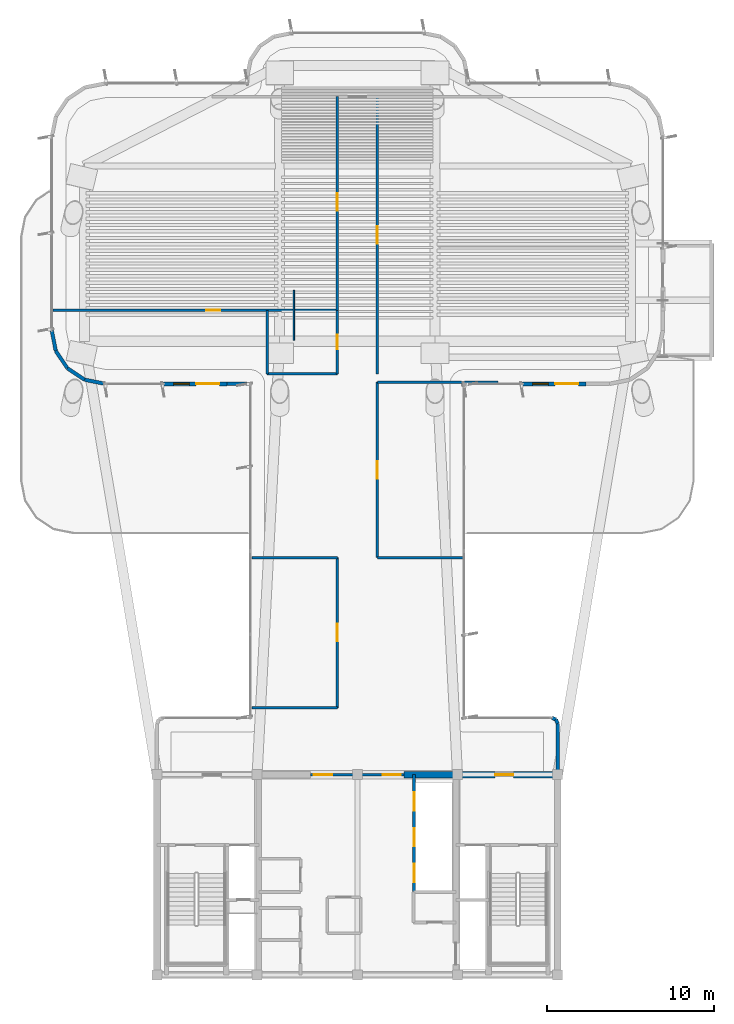
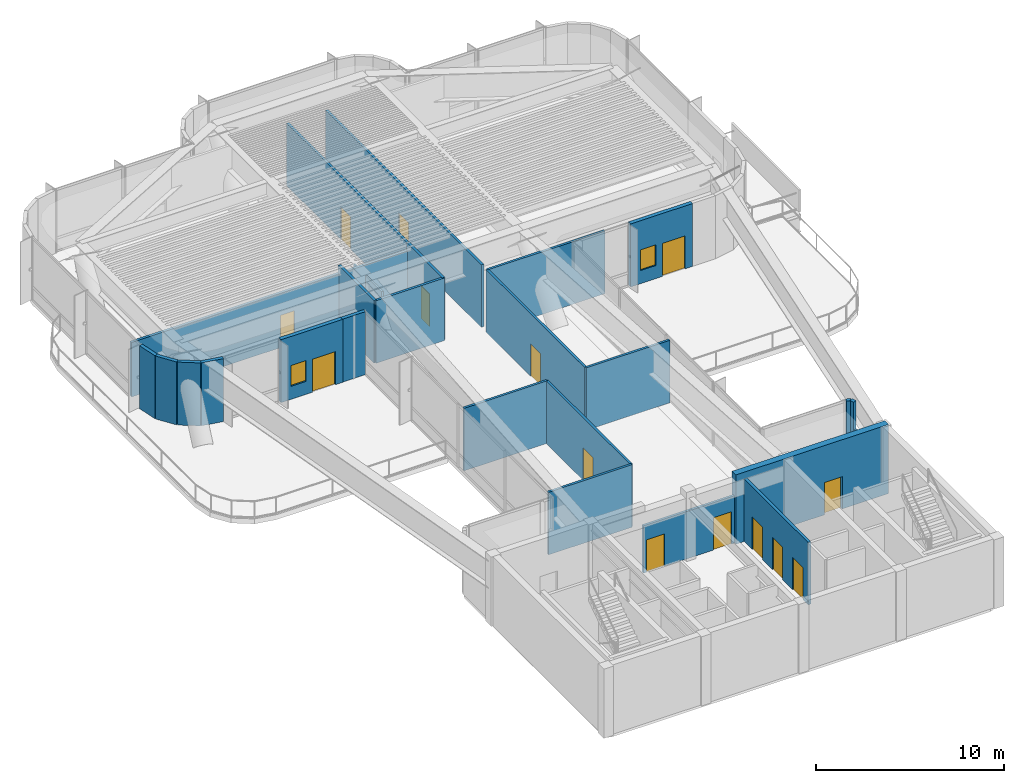
# One storey, part 12 of 16: 26 walls, 14 doors, 2 windows, 16 openings.
"""IFC4 building model written with IfcOpenShell, lengths in metres."""

from ifc_helpers import new_model, si_unit, direction, frame, frame_2d, origin, origin_2d, place, context, subcontext, project, spatial, rectangle, extrude, source, transform, mapped, material, layer, layer_set, type_object, element, fill, save


model = new_model("IFC4")

# Units and contexts
model_context = context("Model", 3, precision=1e-05, world=origin(), true_north=direction((0.0, 1.0)))
body_context = subcontext(model_context, "Body", "Model", "MODEL_VIEW")
ifc_project = project(units=[si_unit("LENGTHUNIT", "METRE"), si_unit("AREAUNIT", "SQUARE_METRE"), si_unit("VOLUMEUNIT", "CUBIC_METRE"), si_unit("PLANEANGLEUNIT", "RADIAN"), si_unit("MASSUNIT", "GRAM", prefix="KILO")], contexts=[model_context])

# Site, building, storey
site_placement = place(None, origin())
site = spatial("IfcSite", under=ifc_project, at=site_placement, CompositionType="ELEMENT")
building_placement = place(site_placement, origin())
building = spatial("IfcBuilding", under=site, at=building_placement, Name="Brelvock Crest Care Tower", CompositionType="ELEMENT")
storey_placement = place(building_placement, frame((0.0, 0.0, 218.52001953125)))
storey = spatial("IfcBuildingStorey", under=building, at=storey_placement, Name="L55", CompositionType="ELEMENT", Elevation=218.52001953125)

# Wall, opening, door
ifc_material_1 = material(Name="Concrete S65 (65 MPa)", Category="concrete")
ifc_layer_1 = layer(ifc_material_1, 0.39990234375, Name="WL-CS4")
ifc_layer_set_1 = layer_set([ifc_layer_1], Name="Concrete S65 (65 MPa)")
wall_type_1 = type_object("IfcWallType", Name="WL-CS4", PredefinedType="SHEAR", material=ifc_layer_set_1)
wall_1_placement = place(storey_placement, frame((38.800048828125, 18.0, 0.0), z_axis=(0.0, 0.0, 1.0), x_axis=(1.0, 0.0, 0.0)))
wall_1 = element("IfcWall", 1, at=wall_1_placement, inside=storey, type_object=wall_type_1, Name="L55 Core North-East Shear Wall", PredefinedType="SHEAR", context=body_context, shape_type="SweptSolid", body=[
    extrude(rectangle(XDim=9.39990234375, YDim=0.39990234375, at=frame_2d((4.699951171875, 0.0))), origin(), (0.0, 0.0, 1.0), 4.5),
])
opening_1_placement = place(wall_1_placement, frame((5.449951171875, 0.0, 0.0)))
opening_1 = element("IfcOpeningElement", 2, at=opening_1_placement, cuts=wall_1, Name="Opening FD-1", PredefinedType="OPENING", context=body_context, shape_type="SweptSolid", body=[
    extrude(rectangle(XDim=1.10009765625, YDim=2.10009765625, at=origin_2d()), frame((0.550048828125, 0.2099609375, 1.050048828125), z_axis=(0.0, -1.0, 0.0), x_axis=(1.0, 0.0, 0.0)), (0.0, 0.0, 1.0), 0.419921875),
])
ifc_material_2 = material(Name="Steel Grade 350", Category="steel")
door_type_1 = type_object("IfcDoorType", Name="DR-FFL1", OperationType="NOTDEFINED", PredefinedType="DOOR", material=ifc_material_2)
shared_shape_1 = source(origin(), body_context, "Body", "SweptSolid", [
    extrude(rectangle(XDim=1.10009765625, YDim=2.10009765625, at=origin_2d()), frame((0.550048828125, 0.02490234375, 1.050048828125), z_axis=(0.0, -1.0, 0.0), x_axis=(1.0, 0.0, 0.0)), (0.0, 0.0, 1.0), 0.050048828125),
])
door_1_placement = place(opening_1_placement, origin())
door_1 = element("IfcDoor", 3, at=door_1_placement, inside=storey, type_object=door_type_1, Name="L55 Firefighting Lobby FFL-2 Exit Door", OperationType="SINGLE_SWING_RIGHT", OverallHeight=2.10009765625, OverallWidth=1.10009765625, PredefinedType="DOOR", context=body_context, shape_type="MappedRepresentation", body=[
    mapped(shared_shape_1, transform((0.0, 0.0, 0.0), x_axis=(1.0, 0.0, 0.0), y_axis=(0.0, 1.0, 0.0), z_axis=(0.0, 0.0, 1.0), scale=1.0)),
])
fill(opening_1, door_1)

# Wall, openings, door, window
ifc_material_3 = material(Name="Precast concrete N40 (40 MPa)", Category="concrete")
ifc_layer_2 = layer(ifc_material_3, 0.239990234375, Name="WL-EX1")
ifc_layer_set_2 = layer_set([ifc_layer_2], Name="Precast concrete N40 (40 MPa)")
wall_type_2 = type_object("IfcWallType", Name="WL-EX1", PredefinedType="SOLIDWALL", material=ifc_layer_set_2)
wall_2_placement = place(storey_placement, frame((28.194091796875, 41.39990234375, 0.0), z_axis=(0.0, 0.0, 1.0), x_axis=(-1.0, 0.0, 0.0)))
wall_2 = element("IfcWall", 4, at=wall_2_placement, inside=storey, type_object=wall_type_2, Name="L55 Exterior Spandrel Wall WL-TER-L55-12", PredefinedType="SOLIDWALL", context=body_context, shape_type="SweptSolid", body=[
    extrude(rectangle(XDim=3.800048828125, YDim=0.239990234375, at=frame_2d((1.89990234375, 0.0))), origin(), (0.0, 0.0, 1.0), 4.092041015625),
])
opening_2_placement = place(wall_2_placement, frame((0.449951171875, 0.0, 0.0)))
opening_2 = element("IfcOpeningElement", 5, at=opening_2_placement, cuts=wall_2, Name="Opening TD-1", PredefinedType="OPENING", context=body_context, shape_type="SweptSolid", body=[
    extrude(rectangle(XDim=1.39990234375, YDim=2.14990234375, at=origin_2d()), frame((0.699951171875, 0.1298828125, 1.074951171875), z_axis=(0.0, -1.0, 0.0), x_axis=(1.0, 0.0, 0.0)), (0.0, 0.0, 1.0), 0.260009765625),
])
opening_3_placement = place(wall_2_placement, frame((2.25, 0.0, 0.85009765625)))
opening_3 = element("IfcOpeningElement", 6, at=opening_3_placement, cuts=wall_2, Name="Opening W-03", PredefinedType="OPENING", context=body_context, shape_type="SweptSolid", body=[
    extrude(rectangle(XDim=0.949951171875, YDim=1.35009765625, at=origin_2d()), frame((0.47509765625, 0.1298828125, 0.675048828125), z_axis=(0.0, -1.0, 0.0), x_axis=(1.0, 0.0, 0.0)), (0.0, 0.0, 1.0), 0.260009765625),
])
ifc_material_4 = material(Name="Dark Glass Double Glazed Low-E", Category="glass")
door_type_2 = type_object("IfcDoorType", Name="DR-TER1", OperationType="NOTDEFINED", PredefinedType="DOOR", material=ifc_material_4)
shared_shape_2 = source(origin(), body_context, "Body", "SweptSolid", [
    extrude(rectangle(XDim=1.39990234375, YDim=2.14990234375, at=origin_2d()), frame((0.699951171875, 0.02490234375, 1.074951171875), z_axis=(0.0, -1.0, 0.0), x_axis=(1.0, 0.0, 0.0)), (0.0, 0.0, 1.0), 0.050048828125),
])
door_2_placement = place(opening_2_placement, origin())
door_2 = element("IfcDoor", 7, at=door_2_placement, inside=storey, type_object=door_type_2, Name="L55 Setback Terrace Glazed Door", OperationType="SINGLE_SWING_LEFT", OverallHeight=2.14990234375, OverallWidth=1.39990234375, PredefinedType="DOOR", context=body_context, shape_type="MappedRepresentation", body=[
    mapped(shared_shape_2, transform((0.0, 0.0, 0.0), x_axis=(1.0, 0.0, 0.0), y_axis=(0.0, 1.0, 0.0), z_axis=(0.0, 0.0, 1.0), scale=1.0)),
])
fill(opening_2, door_2)
window_type = type_object("IfcWindowType", Name="WN-EX3", PartitioningType="SINGLE_PANEL", PredefinedType="WINDOW", material=ifc_material_4)
shared_shape_3 = source(origin(), body_context, "Body", "SweptSolid", [
    extrude(rectangle(XDim=0.949951171875, YDim=1.35009765625, at=origin_2d()), frame((0.47509765625, 0.030029296875, 0.675048828125), z_axis=(0.0, -1.0, 0.0), x_axis=(1.0, 0.0, 0.0)), (0.0, 0.0, 1.0), 0.06005859375),
])
window_1_placement = place(opening_3_placement, origin())
window_1 = element("IfcWindow", 8, at=window_1_placement, inside=storey, type_object=window_type, Name="L55 Terrace Side Window", OverallHeight=1.35009765625, OverallWidth=0.949951171875, PartitioningType="SINGLE_PANEL", PredefinedType="WINDOW", context=body_context, shape_type="MappedRepresentation", body=[
    mapped(shared_shape_3, transform((0.0, 0.0, 0.0), x_axis=(1.0, 0.0, 0.0), y_axis=(0.0, 1.0, 0.0), z_axis=(0.0, 0.0, 1.0), scale=1.0)),
])
fill(opening_3, window_1)

wall_3_placement = place(storey_placement, frame((49.694091796875, 41.39990234375, 0.0), z_axis=(0.0, 0.0, 1.0), x_axis=(-1.0, 0.0, 0.0)))
wall_3 = element("IfcWall", 9, at=wall_3_placement, inside=storey, type_object=wall_type_2, Name="L55 Exterior Spandrel Wall WL-TER-L55-44", PredefinedType="SOLIDWALL", context=body_context, shape_type="SweptSolid", body=[
    extrude(rectangle(XDim=3.800048828125, YDim=0.239990234375, at=frame_2d((1.89990234375, 0.0))), origin(), (0.0, 0.0, 1.0), 4.092041015625),
])
opening_4_placement = place(wall_3_placement, frame((0.449951171875, 0.0, 0.0)))
opening_4 = element("IfcOpeningElement", 10, at=opening_4_placement, cuts=wall_3, Name="Opening TD-1", PredefinedType="OPENING", context=body_context, shape_type="SweptSolid", body=[
    extrude(rectangle(XDim=1.39990234375, YDim=2.14990234375, at=origin_2d()), frame((0.699951171875, 0.1298828125, 1.074951171875), z_axis=(0.0, -1.0, 0.0), x_axis=(1.0, 0.0, 0.0)), (0.0, 0.0, 1.0), 0.260009765625),
])
opening_5_placement = place(wall_3_placement, frame((2.25, 0.0, 0.85009765625)))
opening_5 = element("IfcOpeningElement", 11, at=opening_5_placement, cuts=wall_3, Name="Opening W-03", PredefinedType="OPENING", context=body_context, shape_type="SweptSolid", body=[
    extrude(rectangle(XDim=0.949951171875, YDim=1.35009765625, at=origin_2d()), frame((0.47509765625, 0.1298828125, 0.675048828125), z_axis=(0.0, -1.0, 0.0), x_axis=(1.0, 0.0, 0.0)), (0.0, 0.0, 1.0), 0.260009765625),
])
door_3_placement = place(opening_4_placement, origin())
door_3 = element("IfcDoor", 12, at=door_3_placement, inside=storey, type_object=door_type_2, Name="L55 Setback Terrace Glazed Door", OperationType="SINGLE_SWING_LEFT", OverallHeight=2.14990234375, OverallWidth=1.39990234375, PredefinedType="DOOR", context=body_context, shape_type="MappedRepresentation", body=[
    mapped(shared_shape_2, transform((0.0, 0.0, 0.0), x_axis=(1.0, 0.0, 0.0), y_axis=(0.0, 1.0, 0.0), z_axis=(0.0, 0.0, 1.0), scale=1.0)),
])
fill(opening_4, door_3)
window_2_placement = place(opening_5_placement, origin())
window_2 = element("IfcWindow", 13, at=window_2_placement, inside=storey, type_object=window_type, Name="L55 Terrace Side Window", OverallHeight=1.35009765625, OverallWidth=0.949951171875, PartitioningType="SINGLE_PANEL", PredefinedType="WINDOW", context=body_context, shape_type="MappedRepresentation", body=[
    mapped(shared_shape_3, transform((0.0, 0.0, 0.0), x_axis=(1.0, 0.0, 0.0), y_axis=(0.0, 1.0, 0.0), z_axis=(0.0, 0.0, 1.0), scale=1.0)),
])
fill(opening_5, window_2)

# Walls
ifc_layer_3 = layer(ifc_material_3, 0.215087890625, Name="WL-EX2")
ifc_layer_set_3 = layer_set([ifc_layer_3], Name="Precast concrete N40 (40 MPa)")
wall_type_3 = type_object("IfcWallType", Name="WL-EX2", PredefinedType="SOLIDWALL", material=ifc_layer_set_3)
wall_4_placement = place(storey_placement, frame((47.8974609375, 21.297607421875, 0.0), z_axis=(0.0, 0.0, 1.0), x_axis=(0.382673670509, -0.923883575944, 0.0)))
element("IfcWall", 14, at=wall_4_placement, inside=storey, type_object=wall_type_3, Name="L55 Rounded Corner Wall 00", PredefinedType="SOLIDWALL", context=body_context, shape_type="SweptSolid", body=[
    extrude(rectangle(XDim=0.26806640625, YDim=0.215087890625, at=frame_2d((0.134033203125, 0.0))), origin(), (0.0, 0.0, 1.0), 4.092041015625),
])
wall_5_placement = place(storey_placement, frame((48.0, 21.050048828125, 0.0), z_axis=(0.0, 0.0, 1.0), x_axis=(0.0, -1.0, 0.0)))
element("IfcWall", 15, at=wall_5_placement, inside=storey, type_object=wall_type_3, Name="L55 Rounded Corner Wall 01", PredefinedType="SOLIDWALL", context=body_context, shape_type="SweptSolid", body=[
    extrude(rectangle(XDim=2.77001953125, YDim=0.215087890625, at=frame_2d((1.385009765625, 0.0))), origin(), (0.0, 0.0, 1.0), 2.280029296875),
])
wall_6_placement = place(storey_placement, frame((29.60009765625, 41.39990234375, 0.0), z_axis=(0.0, 0.0, 1.0), x_axis=(-1.0, 0.0, 0.0)))
element("IfcWall", 16, at=wall_6_placement, inside=storey, type_object=wall_type_3, Name="L55 Exterior Spandrel Pier E12A", PredefinedType="SOLIDWALL", context=body_context, shape_type="SweptSolid", body=[
    extrude(rectangle(XDim=1.406005859375, YDim=0.215087890625, at=frame_2d((0.703125, 0.0))), origin(), (0.0, 0.0, 1.0), 4.092041015625),
])
for number, where, z_axis, x_axis, name in (
    (17, (20.89990234375, 41.39990234375, 0.0), (0.0, 0.0, 1.0), (-0.980775717779, 0.195138390419, 0.0), "L55 Rounded Corner Wall 13"),
    (18, (19.67529296875, 41.6435546875, 0.0), (0.0, 0.0, 1.0), (-0.831387912822, 0.555692485475, 0.0), "L55 Rounded Corner Wall 14"),
    (19, (18.63720703125, 42.33740234375, 0.0), (0.0, 0.0, 1.0), (-0.555557312883, 0.831478245117, 0.0), "L55 Rounded Corner Wall 15"),
    (20, (17.943603515625, 43.37548828125, 0.0), (0.0, 0.0, 1.0), (-0.195138390419, 0.980775717779, 0.0), "L55 Rounded Corner Wall 16"),
):
    element("IfcWall", number, at=place(storey_placement, frame(where, z_axis=z_axis, x_axis=x_axis)), inside=storey, type_object=wall_type_3, Name=name, PredefinedType="SOLIDWALL", context=body_context, shape_type="SweptSolid", body=[
        extrude(rectangle(XDim=1.24853515625, YDim=0.215087890625, at=frame_2d((0.624267578125, 0.0))), origin(), (0.0, 0.0, 1.0), 4.092041015625),
    ])
wall_7_placement = place(storey_placement, frame((47.64990234375, 21.39990234375, 0.0), z_axis=(0.0, 0.0, 1.0), x_axis=(0.924205486139, -0.381895560841, 0.0)))
element("IfcWall", 21, at=wall_7_placement, inside=storey, type_object=wall_type_3, Name="L55 Rounded Corner Wall 47", PredefinedType="SOLIDWALL", context=body_context, shape_type="SweptSolid", body=[
    extrude(rectangle(XDim=0.267822265625, YDim=0.215087890625, at=frame_2d((0.1337890625, 0.0))), origin(), (0.0, 0.0, 1.0), 4.092041015625),
])

# Wall, openings, doors
ifc_material_5 = material(Name="Masonry Blockwork Acoustic Partition", Category="masonry")
ifc_layer_4 = layer(ifc_material_5, 0.14990234375, Name="WL-INT1")
ifc_layer_set_4 = layer_set([ifc_layer_4], Name="Masonry Blockwork Acoustic Partition")
wall_type_4 = type_object("IfcWallType", Name="WL-INT1", PredefinedType="PARTITIONING", material=ifc_layer_set_4)
wall_8_placement = place(storey_placement, frame((33.199951171875, 18.0, 0.0), z_axis=(0.0, 0.0, 1.0), x_axis=(1.0, 0.0, 0.0)))
wall_8 = element("IfcWall", 22, at=wall_8_placement, inside=storey, type_object=wall_type_4, Name="L55 Interior Wall WL-CORE-NPORT-L55", PredefinedType="PARTITIONING", context=body_context, shape_type="SweptSolid", body=[
    extrude(rectangle(XDim=5.60009765625, YDim=0.14990234375, at=frame_2d((2.800048828125, 0.0))), origin(), (0.0, 0.0, 1.0), 3.076904296875),
])
opening_6_placement = place(wall_8_placement, frame((0.18994140625, 0.0, 0.0)))
opening_6 = element("IfcOpeningElement", 23, at=opening_6_placement, cuts=wall_8, Name="Opening FD-1", PredefinedType="OPENING", context=body_context, shape_type="SweptSolid", body=[
    extrude(rectangle(XDim=1.10009765625, YDim=2.10009765625, at=origin_2d()), frame((0.550048828125, 0.0849609375, 1.050048828125), z_axis=(0.0, -1.0, 0.0), x_axis=(1.0, 0.0, 0.0)), (0.0, 0.0, 1.0), 0.169921875),
])
opening_7_placement = place(wall_8_placement, frame((4.31005859375, 0.0, 0.0)))
opening_7 = element("IfcOpeningElement", 24, at=opening_7_placement, cuts=wall_8, Name="Opening FD-1", PredefinedType="OPENING", context=body_context, shape_type="SweptSolid", body=[
    extrude(rectangle(XDim=1.10009765625, YDim=2.10009765625, at=origin_2d()), frame((0.550048828125, 0.0849609375, 1.050048828125), z_axis=(0.0, -1.0, 0.0), x_axis=(1.0, 0.0, 0.0)), (0.0, 0.0, 1.0), 0.169921875),
])
door_4_placement = place(opening_6_placement, origin())
door_4 = element("IfcDoor", 25, at=door_4_placement, inside=storey, type_object=door_type_1, Name="L55 Lift Lobby North Smoke Door West", OperationType="SINGLE_SWING_LEFT", OverallHeight=2.10009765625, OverallWidth=1.10009765625, PredefinedType="DOOR", context=body_context, shape_type="MappedRepresentation", body=[
    mapped(shared_shape_1, transform((0.0, 0.0, 0.0), x_axis=(1.0, 0.0, 0.0), y_axis=(0.0, 1.0, 0.0), z_axis=(0.0, 0.0, 1.0), scale=1.0)),
])
fill(opening_6, door_4)
door_5_placement = place(opening_7_placement, origin())
door_5 = element("IfcDoor", 26, at=door_5_placement, inside=storey, type_object=door_type_1, Name="L55 Lift Lobby North Smoke Door East", OperationType="SINGLE_SWING_RIGHT", OverallHeight=2.10009765625, OverallWidth=1.10009765625, PredefinedType="DOOR", context=body_context, shape_type="MappedRepresentation", body=[
    mapped(shared_shape_1, transform((0.0, 0.0, 0.0), x_axis=(1.0, 0.0, 0.0), y_axis=(0.0, 1.0, 0.0), z_axis=(0.0, 0.0, 1.0), scale=1.0)),
])
fill(opening_7, door_5)

# Walls
wall_9_placement = place(storey_placement, frame((29.678466796875, 22.0, 0.0), z_axis=(0.0, 0.0, 1.0), x_axis=(1.0, 0.0, 0.0)))
element("IfcWall", 27, at=wall_9_placement, inside=storey, type_object=wall_type_4, Name="L55 Interior Wall WL-BX-L55-TPL-S", PredefinedType="PARTITIONING", context=body_context, shape_type="SweptSolid", body=[
    extrude(rectangle(XDim=5.12158203125, YDim=0.14990234375, at=frame_2d((2.560791015625, 0.0))), origin(), (0.0, 0.0, 1.0), 4.06201171875),
])
wall_10_placement = place(storey_placement, frame((29.678955078125, 31.0, 0.0), z_axis=(0.0, 0.0, 1.0), x_axis=(1.0, 0.0, 0.0)))
element("IfcWall", 28, at=wall_10_placement, inside=storey, type_object=wall_type_4, Name="L55 Interior Wall WL-BX-L55-TPL-N", PredefinedType="PARTITIONING", context=body_context, shape_type="SweptSolid", body=[
    extrude(rectangle(XDim=5.12109375, YDim=0.14990234375, at=frame_2d((2.560546875, 0.0))), origin(), (0.0, 0.0, 1.0), 4.06201171875),
])
wall_11_placement = place(storey_placement, frame((37.199951171875, 31.0, 0.0), z_axis=(0.0, 0.0, 1.0), x_axis=(1.0, 0.0, 0.0)))
element("IfcWall", 29, at=wall_11_placement, inside=storey, type_object=wall_type_4, Name="L55 Interior Wall WL-BX-L55-NUT-S", PredefinedType="PARTITIONING", context=body_context, shape_type="SweptSolid", body=[
    extrude(rectangle(XDim=5.12255859375, YDim=0.14990234375, at=frame_2d((2.561279296875, 0.0))), origin(), (0.0, 0.0, 1.0), 4.06201171875),
])
wall_12_placement = place(storey_placement, frame((37.199951171875, 41.5, 0.0), z_axis=(0.0, 0.0, 1.0), x_axis=(1.0, 0.0, 0.0)))
element("IfcWall", 30, at=wall_12_placement, inside=storey, type_object=wall_type_4, Name="L55 Interior Wall WL-BX-L55-NUT-N", PredefinedType="PARTITIONING", context=body_context, shape_type="SweptSolid", body=[
    extrude(rectangle(XDim=7.210205078125, YDim=0.14990234375, at=frame_2d((3.60498046875, 0.0))), origin(), (0.0, 0.0, 1.0), 4.06201171875),
])

# Wall, opening, door
wall_13_placement = place(storey_placement, frame((34.800048828125, 22.0, 0.0), z_axis=(0.0, 0.0, 1.0), x_axis=(0.0, 1.0, 0.0)))
wall_13 = element("IfcWall", 31, at=wall_13_placement, inside=storey, type_object=wall_type_4, Name="L55 Interior Wall WL-RM-L55-TPL", PredefinedType="PARTITIONING", context=body_context, shape_type="SweptSolid", body=[
    extrude(rectangle(XDim=9.0, YDim=0.14990234375, at=frame_2d((4.5, 0.0))), origin(), (0.0, 0.0, 1.0), 4.06201171875),
])
opening_8_placement = place(wall_13_placement, frame((3.97509765625, 0.0, 0.0)))
opening_8 = element("IfcOpeningElement", 32, at=opening_8_placement, cuts=wall_13, Name="Opening CLD-1", PredefinedType="OPENING", context=body_context, shape_type="SweptSolid", body=[
    extrude(rectangle(XDim=1.050048828125, YDim=2.10009765625, at=origin_2d()), frame((0.52490234375, 0.0849609375, 1.050048828125), z_axis=(0.0, -1.0, 0.0), x_axis=(1.0, 0.0, 0.0)), (0.0, 0.0, 1.0), 0.169921875),
])
ifc_material_6 = material(Name="Engineered Hardwood Timber", Category="wood")
door_type_3 = type_object("IfcDoorType", Name="DR-CLN1", OperationType="NOTDEFINED", PredefinedType="DOOR", material=ifc_material_6)
shared_shape_4 = source(origin(), body_context, "Body", "SweptSolid", [
    extrude(rectangle(XDim=1.050048828125, YDim=2.10009765625, at=origin_2d()), frame((0.52490234375, 0.02490234375, 1.050048828125), z_axis=(0.0, -1.0, 0.0), x_axis=(1.0, 0.0, 0.0)), (0.0, 0.0, 1.0), 0.050048828125),
])
door_6_placement = place(opening_8_placement, origin())
door_6 = element("IfcDoor", 33, at=door_6_placement, inside=storey, type_object=door_type_3, Name="L55 Pool Filtration Treatment Room Door TPL", OperationType="SINGLE_SWING_LEFT", OverallHeight=2.10009765625, OverallWidth=1.050048828125, PredefinedType="DOOR", context=body_context, shape_type="MappedRepresentation", body=[
    mapped(shared_shape_4, transform((0.0, 0.0, 0.0), x_axis=(1.0, 0.0, 0.0), y_axis=(0.0, 1.0, 0.0), z_axis=(0.0, 0.0, 1.0), scale=1.0)),
])
fill(opening_8, door_6)

wall_14_placement = place(storey_placement, frame((34.800048828125, 45.800048828125, 0.0), z_axis=(0.0, 0.0, 1.0), x_axis=(0.0, 1.0, 0.0)))
wall_14 = element("IfcWall", 34, at=wall_14_placement, inside=storey, type_object=wall_type_4, Name="L55 Interior Wall WL-RM-L55-GYM", PredefinedType="PARTITIONING", context=body_context, shape_type="SweptSolid", body=[
    extrude(rectangle(XDim=12.800048828125, YDim=0.14990234375, at=frame_2d((6.39990234375, 0.0))), origin(), (0.0, 0.0, 1.0), 4.06201171875),
])
opening_9_placement = place(wall_14_placement, frame((5.97509765625, 0.0, 0.0)))
opening_9 = element("IfcOpeningElement", 35, at=opening_9_placement, cuts=wall_14, Name="Opening CLD-1", PredefinedType="OPENING", context=body_context, shape_type="SweptSolid", body=[
    extrude(rectangle(XDim=1.050048828125, YDim=2.10009765625, at=origin_2d()), frame((0.52490234375, 0.0849609375, 1.050048828125), z_axis=(0.0, -1.0, 0.0), x_axis=(1.0, 0.0, 0.0)), (0.0, 0.0, 1.0), 0.169921875),
])
door_7_placement = place(opening_9_placement, origin())
door_7 = element("IfcDoor", 36, at=door_7_placement, inside=storey, type_object=door_type_3, Name="L55 High-Zone Wellness Studio Door GYM", OperationType="SINGLE_SWING_LEFT", OverallHeight=2.10009765625, OverallWidth=1.050048828125, PredefinedType="DOOR", context=body_context, shape_type="MappedRepresentation", body=[
    mapped(shared_shape_4, transform((0.0, 0.0, 0.0), x_axis=(1.0, 0.0, 0.0), y_axis=(0.0, 1.0, 0.0), z_axis=(0.0, 0.0, 1.0), scale=1.0)),
])
fill(opening_9, door_7)

wall_15_placement = place(storey_placement, frame((37.199951171875, 31.0, 0.0), z_axis=(0.0, 0.0, 1.0), x_axis=(0.0, 1.0, 0.0)))
wall_15 = element("IfcWall", 37, at=wall_15_placement, inside=storey, type_object=wall_type_4, Name="L55 Interior Wall WL-RM-L55-NUT", PredefinedType="PARTITIONING", context=body_context, shape_type="SweptSolid", body=[
    extrude(rectangle(XDim=10.5, YDim=0.14990234375, at=frame_2d((5.25, 0.0))), origin(), (0.0, 0.0, 1.0), 4.06201171875),
])
opening_10_placement = place(wall_15_placement, frame((4.72509765625, 0.0, 0.0)))
opening_10 = element("IfcOpeningElement", 38, at=opening_10_placement, cuts=wall_15, Name="Opening CLD-1", PredefinedType="OPENING", context=body_context, shape_type="SweptSolid", body=[
    extrude(rectangle(XDim=1.050048828125, YDim=2.10009765625, at=origin_2d()), frame((0.52490234375, 0.0849609375, 1.050048828125), z_axis=(0.0, -1.0, 0.0), x_axis=(1.0, 0.0, 0.0)), (0.0, 0.0, 1.0), 0.169921875),
])
door_8_placement = place(opening_10_placement, origin())
door_8 = element("IfcDoor", 39, at=door_8_placement, inside=storey, type_object=door_type_3, Name="L55 Hydration and Nutrition Bar Door NUT", OperationType="SINGLE_SWING_LEFT", OverallHeight=2.10009765625, OverallWidth=1.050048828125, PredefinedType="DOOR", context=body_context, shape_type="MappedRepresentation", body=[
    mapped(shared_shape_4, transform((0.0, 0.0, 0.0), x_axis=(1.0, 0.0, 0.0), y_axis=(0.0, 1.0, 0.0), z_axis=(0.0, 0.0, 1.0), scale=1.0)),
])
fill(opening_10, door_8)

wall_16_placement = place(storey_placement, frame((37.199951171875, 42.0, 0.0), z_axis=(0.0, 0.0, 1.0), x_axis=(0.0, 1.0, 0.0)))
wall_16 = element("IfcWall", 40, at=wall_16_placement, inside=storey, type_object=wall_type_4, Name="L55 Interior Wall WL-RM-L55-SPA", PredefinedType="PARTITIONING", context=body_context, shape_type="SweptSolid", body=[
    extrude(rectangle(XDim=16.60009765625, YDim=0.14990234375, at=frame_2d((8.300048828125, 0.0))), origin(), (0.0, 0.0, 1.0), 4.06201171875),
])
opening_11_placement = place(wall_16_placement, frame((7.77490234375, 0.0, 0.0)))
opening_11 = element("IfcOpeningElement", 41, at=opening_11_placement, cuts=wall_16, Name="Opening CLD-1", PredefinedType="OPENING", context=body_context, shape_type="SweptSolid", body=[
    extrude(rectangle(XDim=1.050048828125, YDim=2.10009765625, at=origin_2d()), frame((0.52490234375, 0.0849609375, 1.050048828125), z_axis=(0.0, -1.0, 0.0), x_axis=(1.0, 0.0, 0.0)), (0.0, 0.0, 1.0), 0.169921875),
])
door_9_placement = place(opening_11_placement, origin())
door_9 = element("IfcDoor", 42, at=door_9_placement, inside=storey, type_object=door_type_3, Name="L55 Hydro-Thermal Aquatics Lounge Door SPA", OperationType="SINGLE_SWING_LEFT", OverallHeight=2.10009765625, OverallWidth=1.050048828125, PredefinedType="DOOR", context=body_context, shape_type="MappedRepresentation", body=[
    mapped(shared_shape_4, transform((0.0, 0.0, 0.0), x_axis=(1.0, 0.0, 0.0), y_axis=(0.0, 1.0, 0.0), z_axis=(0.0, 0.0, 1.0), scale=1.0)),
])
fill(opening_11, door_9)

# Walls
ifc_material_7 = material(Name="Aluminium 6063-T6", Category="aluminium")
ifc_layer_5 = layer(ifc_material_7, 0.10009765625, Name="WL-MV1")
ifc_layer_set_5 = layer_set([ifc_layer_5], Name="Aluminium 6063-T6")
wall_type_5 = type_object("IfcWallType", Name="WL-MV1", PredefinedType="MOVABLE", material=ifc_layer_set_5)
wall_17_placement = place(storey_placement, frame((32.199951171875, 44.0, 0.0), z_axis=(0.0, 0.0, 1.0), x_axis=(0.0, 1.0, 0.0)))
element("IfcWall", 43, at=wall_17_placement, inside=storey, type_object=wall_type_5, Name="L55 Operable Acoustic Partition", PredefinedType="MOVABLE", context=body_context, shape_type="SweptSolid", body=[
    extrude(rectangle(XDim=3.0, YDim=0.10009765625, at=frame_2d((1.5, 0.0))), origin(), (0.0, 0.0, 1.0), 2.85009765625),
])
ifc_material_8 = material(Name="Gypsum Plasterboard Partition", Category="gypsum")
ifc_layer_6 = layer(ifc_material_8, 0.159912109375, Name="WL-PLM1")
ifc_layer_set_6 = layer_set([ifc_layer_6], Name="Gypsum Plasterboard Partition")
wall_type_6 = type_object("IfcWallType", Name="WL-PLM1", PredefinedType="PLUMBINGWALL", material=ifc_layer_set_6)
wall_18_placement = place(storey_placement, frame((30.60009765625, 42.0, 0.0), z_axis=(0.0, 0.0, 1.0), x_axis=(1.0, 0.0, 0.0)))
element("IfcWall", 44, at=wall_18_placement, inside=storey, type_object=wall_type_6, Name="L55 Interior Wall WL-BX-L55-CHG-S", PredefinedType="PLUMBINGWALL", context=body_context, shape_type="SweptSolid", body=[
    extrude(rectangle(XDim=4.199951171875, YDim=0.159912109375, at=frame_2d((2.10009765625, 0.0))), origin(), (0.0, 0.0, 1.0), 4.06201171875),
])

# Wall, opening, door
wall_19_placement = place(storey_placement, frame((17.780029296875, 45.800048828125, 0.0), z_axis=(0.0, 0.0, 1.0), x_axis=(1.0, 0.0, 0.0)))
wall_19 = element("IfcWall", 45, at=wall_19_placement, inside=storey, type_object=wall_type_6, Name="L55 Interior Wall WL-RM-L55-RLX", PredefinedType="PLUMBINGWALL", context=body_context, shape_type="SweptSolid", body=[
    extrude(rectangle(XDim=17.02001953125, YDim=0.159912109375, at=frame_2d((8.510009765625, 0.0))), origin(), (0.0, 0.0, 1.0), 3.5439453125),
])
opening_12_placement = place(wall_19_placement, frame((9.159912109375, 0.0, 0.0)))
opening_12 = element("IfcOpeningElement", 46, at=opening_12_placement, cuts=wall_19, Name="Opening ID-1", PredefinedType="OPENING", context=body_context, shape_type="SweptSolid", body=[
    extrude(rectangle(XDim=0.860107421875, YDim=2.10009765625, at=origin_2d()), frame((0.43017578125, 0.08984375, 1.050048828125), z_axis=(0.0, -1.0, 0.0), x_axis=(1.0, 0.0, 0.0)), (0.0, 0.0, 1.0), 0.179931640625),
])
door_type_4 = type_object("IfcDoorType", Name="DR-INT1", OperationType="NOTDEFINED", PredefinedType="DOOR", material=ifc_material_6)
shared_shape_5 = source(origin(), body_context, "Body", "SweptSolid", [
    extrude(rectangle(XDim=0.860107421875, YDim=2.10009765625, at=origin_2d()), frame((0.43017578125, 0.02490234375, 1.050048828125), z_axis=(0.0, -1.0, 0.0), x_axis=(1.0, 0.0, 0.0)), (0.0, 0.0, 1.0), 0.050048828125),
])
door_10_placement = place(opening_12_placement, origin())
door_10 = element("IfcDoor", 47, at=door_10_placement, inside=storey, type_object=door_type_4, Name="L55 Sky Thermal Recovery Lounge Door RLX", OperationType="SINGLE_SWING_LEFT", OverallHeight=2.10009765625, OverallWidth=0.860107421875, PredefinedType="DOOR", context=body_context, shape_type="MappedRepresentation", body=[
    mapped(shared_shape_5, transform((0.0, 0.0, 0.0), x_axis=(1.0, 0.0, 0.0), y_axis=(0.0, 1.0, 0.0), z_axis=(0.0, 0.0, 1.0), scale=1.0)),
])
fill(opening_12, door_10)

# Wall
wall_20_placement = place(storey_placement, frame((30.60009765625, 42.0, 0.0), z_axis=(0.0, 0.0, 1.0), x_axis=(0.0, 1.0, 0.0)))
element("IfcWall", 48, at=wall_20_placement, inside=storey, type_object=wall_type_6, Name="L55 Interior Wall WL-BX-L55-CHG-W", PredefinedType="PLUMBINGWALL", context=body_context, shape_type="SweptSolid", body=[
    extrude(rectangle(XDim=3.800048828125, YDim=0.159912109375, at=frame_2d((1.89990234375, 0.0))), origin(), (0.0, 0.0, 1.0), 4.06201171875),
])

# Wall, opening, door
wall_21_placement = place(storey_placement, frame((34.800048828125, 42.0, 0.0), z_axis=(0.0, 0.0, 1.0), x_axis=(0.0, 1.0, 0.0)))
wall_21 = element("IfcWall", 49, at=wall_21_placement, inside=storey, type_object=wall_type_6, Name="L55 Interior Wall WL-RM-L55-CHG", PredefinedType="PLUMBINGWALL", context=body_context, shape_type="SweptSolid", body=[
    extrude(rectangle(XDim=3.800048828125, YDim=0.159912109375, at=frame_2d((1.89990234375, 0.0))), origin(), (0.0, 0.0, 1.0), 4.06201171875),
])
opening_13_placement = place(wall_21_placement, frame((1.469970703125, 0.0, 0.0)))
opening_13 = element("IfcOpeningElement", 50, at=opening_13_placement, cuts=wall_21, Name="Opening WD-1", PredefinedType="OPENING", context=body_context, shape_type="SweptSolid", body=[
    extrude(rectangle(XDim=0.860107421875, YDim=2.10009765625, at=origin_2d()), frame((0.43017578125, 0.08984375, 1.050048828125), z_axis=(0.0, -1.0, 0.0), x_axis=(1.0, 0.0, 0.0)), (0.0, 0.0, 1.0), 0.179931640625),
])
door_type_5 = type_object("IfcDoorType", Name="DR-WC1", OperationType="NOTDEFINED", PredefinedType="DOOR", material=ifc_material_6)
shared_shape_6 = source(origin(), body_context, "Body", "SweptSolid", [
    extrude(rectangle(XDim=0.860107421875, YDim=2.10009765625, at=origin_2d()), frame((0.43017578125, 0.02490234375, 1.050048828125), z_axis=(0.0, -1.0, 0.0), x_axis=(1.0, 0.0, 0.0)), (0.0, 0.0, 1.0), 0.050048828125),
])
door_11_placement = place(opening_13_placement, origin())
door_11 = element("IfcDoor", 51, at=door_11_placement, inside=storey, type_object=door_type_5, Name="L55 Sky Pool Accessible Change WC Door CHG", OperationType="SINGLE_SWING_LEFT", OverallHeight=2.10009765625, OverallWidth=0.860107421875, PredefinedType="DOOR", context=body_context, shape_type="MappedRepresentation", body=[
    mapped(shared_shape_6, transform((0.0, 0.0, 0.0), x_axis=(1.0, 0.0, 0.0), y_axis=(0.0, 1.0, 0.0), z_axis=(0.0, 0.0, 1.0), scale=1.0)),
])
fill(opening_13, door_11)

# Wall, openings, doors
ifc_layer_7 = layer(ifc_material_5, 0.179931640625, Name="WL-SHF1")
ifc_layer_set_7 = layer_set([ifc_layer_7], Name="Masonry Blockwork Acoustic Partition")
wall_type_7 = type_object("IfcWallType", Name="WL-SHF1", PredefinedType="PARTITIONING", material=ifc_layer_set_7)
wall_22_placement = place(storey_placement, frame((39.39990234375, 11.0, 0.0), z_axis=(0.0, 0.0, 1.0), x_axis=(0.0, 1.0, 0.0)))
wall_22 = element("IfcWall", 52, at=wall_22_placement, inside=storey, type_object=wall_type_7, Name="L55 Interior Wall WL-PLH-BANK-L55", PredefinedType="PARTITIONING", context=body_context, shape_type="SweptSolid", body=[
    extrude(rectangle(XDim=7.0, YDim=0.179931640625, at=frame_2d((3.5, 0.0))), origin(), (0.0, 0.0, 1.0), 4.06201171875),
])
opening_14_placement = place(wall_22_placement, frame((0.550048828125, 0.0, 0.0)))
opening_14 = element("IfcOpeningElement", 53, at=opening_14_placement, cuts=wall_22, Name="Opening LD", PredefinedType="OPENING", context=body_context, shape_type="SweptSolid", body=[
    extrude(rectangle(XDim=1.10009765625, YDim=2.10009765625, at=origin_2d()), frame((0.550048828125, 0.10009765625, 1.050048828125), z_axis=(0.0, -1.0, 0.0), x_axis=(1.0, 0.0, 0.0)), (0.0, 0.0, 1.0), 0.199951171875),
])
opening_15_placement = place(wall_22_placement, frame((2.699951171875, 0.0, 0.0)))
opening_15 = element("IfcOpeningElement", 54, at=opening_15_placement, cuts=wall_22, Name="Opening LD", PredefinedType="OPENING", context=body_context, shape_type="SweptSolid", body=[
    extrude(rectangle(XDim=1.10009765625, YDim=2.10009765625, at=origin_2d()), frame((0.550048828125, 0.10009765625, 1.050048828125), z_axis=(0.0, -1.0, 0.0), x_axis=(1.0, 0.0, 0.0)), (0.0, 0.0, 1.0), 0.199951171875),
])
opening_16_placement = place(wall_22_placement, frame((4.85009765625, 0.0, 0.0)))
opening_16 = element("IfcOpeningElement", 55, at=opening_16_placement, cuts=wall_22, Name="Opening LD", PredefinedType="OPENING", context=body_context, shape_type="SweptSolid", body=[
    extrude(rectangle(XDim=1.10009765625, YDim=2.10009765625, at=origin_2d()), frame((0.550048828125, 0.10009765625, 1.050048828125), z_axis=(0.0, -1.0, 0.0), x_axis=(1.0, 0.0, 0.0)), (0.0, 0.0, 1.0), 0.199951171875),
])
door_type_6 = type_object("IfcDoorType", Name="DR-LD1", OperationType="NOTDEFINED", PredefinedType="DOOR", material=ifc_material_2)
shared_shape_7 = source(origin(), body_context, "Body", "SweptSolid", [
    extrude(rectangle(XDim=1.10009765625, YDim=2.10009765625, at=origin_2d()), frame((0.550048828125, 0.02490234375, 1.050048828125), z_axis=(0.0, -1.0, 0.0), x_axis=(1.0, 0.0, 0.0)), (0.0, 0.0, 1.0), 0.050048828125),
])
door_12_placement = place(opening_14_placement, origin())
door_12 = element("IfcDoor", 56, at=door_12_placement, inside=storey, type_object=door_type_6, Name="L55 Lift PL-H1 Landing Door", OperationType="SLIDING_TO_RIGHT", OverallHeight=2.10009765625, OverallWidth=1.10009765625, PredefinedType="DOOR", context=body_context, shape_type="MappedRepresentation", body=[
    mapped(shared_shape_7, transform((0.0, 0.0, 0.0), x_axis=(1.0, 0.0, 0.0), y_axis=(0.0, 1.0, 0.0), z_axis=(0.0, 0.0, 1.0), scale=1.0)),
])
fill(opening_14, door_12)
door_13_placement = place(opening_15_placement, origin())
door_13 = element("IfcDoor", 57, at=door_13_placement, inside=storey, type_object=door_type_6, Name="L55 Lift PL-H2 Landing Door", OperationType="SLIDING_TO_RIGHT", OverallHeight=2.10009765625, OverallWidth=1.10009765625, PredefinedType="DOOR", context=body_context, shape_type="MappedRepresentation", body=[
    mapped(shared_shape_7, transform((0.0, 0.0, 0.0), x_axis=(1.0, 0.0, 0.0), y_axis=(0.0, 1.0, 0.0), z_axis=(0.0, 0.0, 1.0), scale=1.0)),
])
fill(opening_15, door_13)
door_14_placement = place(opening_16_placement, origin())
door_14 = element("IfcDoor", 58, at=door_14_placement, inside=storey, type_object=door_type_6, Name="L55 Lift PL-H3 Landing Door", OperationType="SLIDING_TO_RIGHT", OverallHeight=2.10009765625, OverallWidth=1.10009765625, PredefinedType="DOOR", context=body_context, shape_type="MappedRepresentation", body=[
    mapped(shared_shape_7, transform((0.0, 0.0, 0.0), x_axis=(1.0, 0.0, 0.0), y_axis=(0.0, 1.0, 0.0), z_axis=(0.0, 0.0, 1.0), scale=1.0)),
])
fill(opening_16, door_14)

save(model, "model.ifc")
